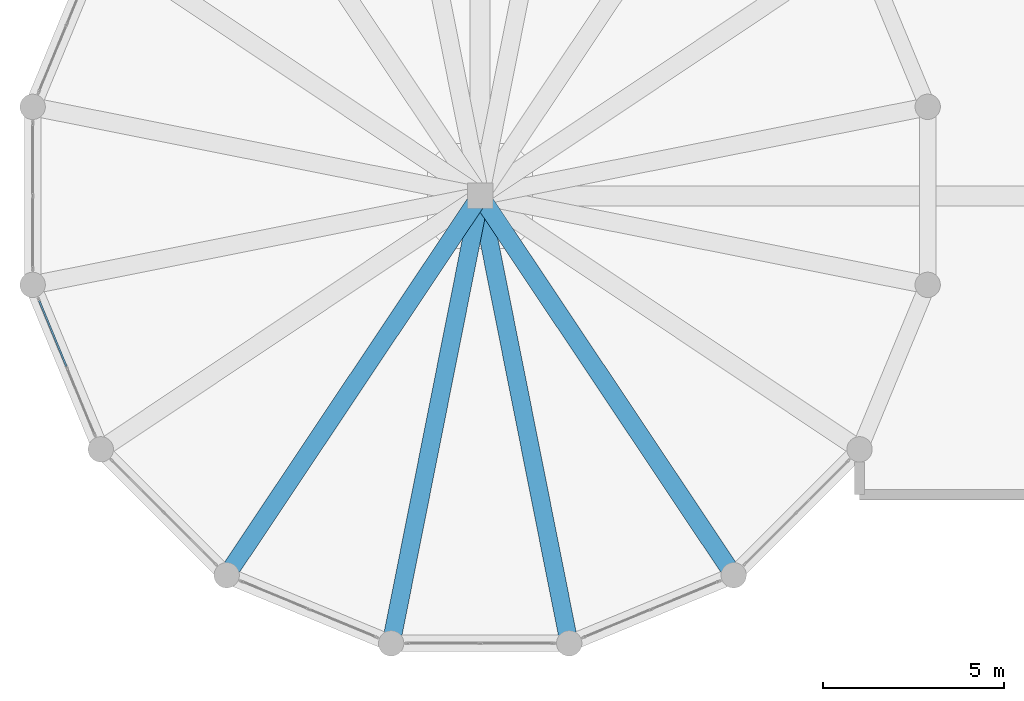
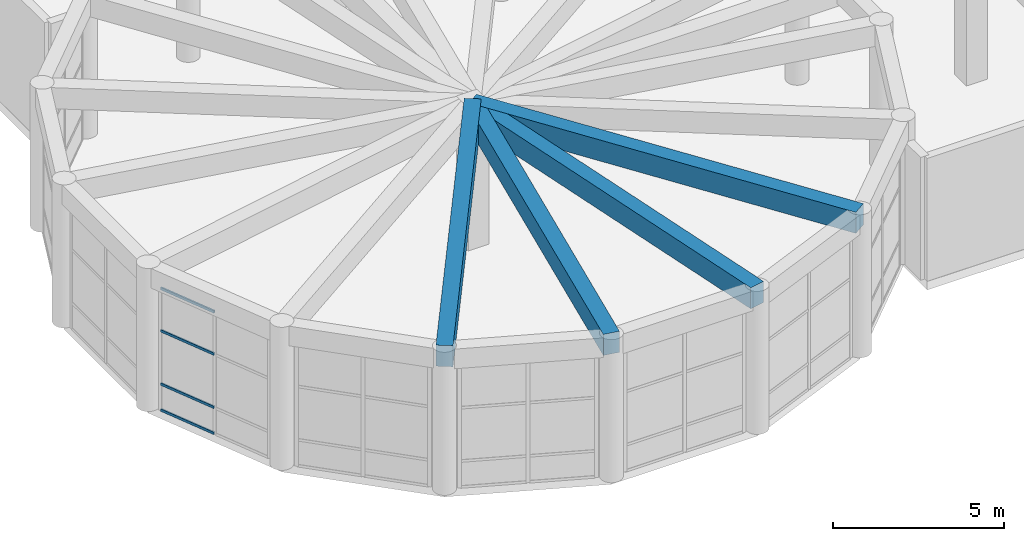
# One storey, part 6 of 96: 4 beams, 4 members, 1 element without a shape of its own.
"""IFC4 building model written with IfcOpenShell, lengths in metres."""

from ifc_helpers import new_model, si_unit, direction, frame, origin, origin_2d, place, context, subcontext, project, spatial, rectangle, hollow_rectangle, extrude, material, material_profile, profile_set, type_object, element, aggregate, save


model = new_model("IFC4")

# Units and contexts
model_context = context("Model", 3, precision=1e-05, world=origin(), true_north=direction((0.0, 1.0)))
body_context = subcontext(model_context, "Body", "Model", "MODEL_VIEW")
ifc_project = project(units=[si_unit("LENGTHUNIT", "METRE"), si_unit("AREAUNIT", "SQUARE_METRE"), si_unit("VOLUMEUNIT", "CUBIC_METRE"), si_unit("PLANEANGLEUNIT", "RADIAN"), si_unit("MASSUNIT", "GRAM", prefix="KILO")], contexts=[model_context])

# Site, building, storey
site_placement = place(None, origin())
site = spatial("IfcSite", under=ifc_project, at=site_placement, CompositionType="ELEMENT")
building_placement = place(site_placement, origin())
building = spatial("IfcBuilding", under=site, at=building_placement, Name="Almacenes y Pasaje Nevantli", CompositionType="ELEMENT")
storey_placement = place(building_placement, frame((0.0, 0.0, 6.0)))
storey = spatial("IfcBuildingStorey", under=building, at=storey_placement, Name="L02", CompositionType="ELEMENT", Elevation=6.0)

# Beams
ifc_material_1 = material(Name="Concrete C35/45", Category="concrete")
ifc_material_profile_1 = material_profile(ifc_material_1, rectangle(XDim=0.5, YDim=0.75, at=origin_2d()), Name="RC-BM-500x750")
ifc_profile_set_1 = profile_set([ifc_material_profile_1], Name="Concrete C35/45")
beam_type = type_object("IfcBeamType", Name="BM-RC-500x750", PredefinedType="BEAM", material=ifc_profile_set_1)
beam_1_placement = place(storey_placement, frame((8.39990234375, 8.39990234375, 4.72509765625), z_axis=(-0.555567372569, -0.831471523588, 0.0), x_axis=(0.831471523588, -0.555567372569, 0.0)))
element("IfcBeam", 1, at=beam_1_placement, inside=storey, type_object=beam_type, Name="L02 Rotunda Radial Girder #11", PredefinedType="BEAM", context=body_context, shape_type="SweptSolid", body=[
    extrude(rectangle(XDim=0.5, YDim=0.75, at=origin_2d()), origin(), (0.0, 0.0, 1.0), 12.599853515625),
])
for number, where, z_axis, x_axis, name in (
    (2, (8.39990234375, 8.39990234375, 4.72509765625), (-0.195080141274, -0.980787305424, 0.0), (0.980787305424, -0.195080141274, 0.0), "L02 Rotunda Radial Girder #12"),
    (3, (8.39990234375, 8.39990234375, 4.72509765625), (0.195098780036, -0.980783597961, 0.0), (0.980783597961, 0.195098780036, 0.0), "L02 Rotunda Radial Girder #13"),
):
    element("IfcBeam", number, at=place(storey_placement, frame(where, z_axis=z_axis, x_axis=x_axis)), inside=storey, type_object=beam_type, Name=name, PredefinedType="BEAM", context=body_context, shape_type="SweptSolid", body=[
        extrude(rectangle(XDim=0.5, YDim=0.75, at=origin_2d()), origin(), (0.0, 0.0, 1.0), 12.60009765625),
    ])
beam_2_placement = place(storey_placement, frame((8.39990234375, 8.39990234375, 4.72509765625), z_axis=(0.555580768302, -0.831462572755, 0.0), x_axis=(0.831462572755, 0.555580768302, 0.0)))
element("IfcBeam", 4, at=beam_2_placement, inside=storey, type_object=beam_type, Name="L02 Rotunda Radial Girder #14", PredefinedType="BEAM", context=body_context, shape_type="SweptSolid", body=[
    extrude(rectangle(XDim=0.5, YDim=0.75, at=origin_2d()), origin(), (0.0, 0.0, 1.0), 12.599853515625),
])

# Curtain wall, members
ifc_material_2 = material(Name="Thermally Broken Aluminium and Low-E Glass", Category="aluminium")
curtain_wall_type = type_object("IfcCurtainWallType", Name="CW-UNIT-ROTUNDA", PredefinedType="USERDEFINED", material=ifc_material_2)
curtain_wall_placement = place(storey_placement, origin())
curtain_wall = element("IfcCurtainWall", 5, at=curtain_wall_placement, inside=storey, type_object=curtain_wall_type, Name="L02 Corner Rotunda Faceted Curtain Wall Facet #9", ObjectType="UNITIZED CURTAIN WALL", PredefinedType="USERDEFINED")
ifc_material_3 = material(Name="Thermally Broken Anodized Aluminium", Category="aluminium")
ifc_material_profile_2 = material_profile(ifc_material_3, hollow_rectangle(XDim=0.050048828125, YDim=0.090087890625, WallThickness=0.0029296875, at=origin_2d()), Name="ALU-TRN-50x90")
ifc_profile_set_2 = profile_set([ifc_material_profile_2], Name="Thermally Broken Anodized Aluminium")
member_type = type_object("IfcMemberType", Name="CW-TRN-100", PredefinedType="USERDEFINED", material=ifc_profile_set_2)
member_1_placement = place(storey_placement, frame((-3.778076171875, 5.507568359375, 0.02490234375), z_axis=(0.382662992588, -0.923887998679, 0.0), x_axis=(0.923887998679, 0.382662992588, 0.0)))
member_1 = element("IfcMember", 6, at=member_1_placement, type_object=member_type, Name="CW-L02-028 transom 1.1", ObjectType="TRANSOM", PredefinedType="USERDEFINED", context=body_context, shape_type="SweptSolid", body=[
    extrude(hollow_rectangle(XDim=0.050048828125, YDim=0.090087890625, WallThickness=0.0029296875, at=origin_2d()), origin(), (0.0, 0.0, 1.0), 1.963134765625),
])
member_2_placement = place(storey_placement, frame((-3.778076171875, 5.507568359375, 0.949951171875), z_axis=(0.382662992588, -0.923887998679, 0.0), x_axis=(0.923887998679, 0.382662992588, 0.0)))
member_2 = element("IfcMember", 7, at=member_2_placement, type_object=member_type, Name="CW-L02-028 transom 1.2", ObjectType="TRANSOM", PredefinedType="USERDEFINED", context=body_context, shape_type="SweptSolid", body=[
    extrude(hollow_rectangle(XDim=0.050048828125, YDim=0.090087890625, WallThickness=0.0029296875, at=origin_2d()), origin(), (0.0, 0.0, 1.0), 1.963134765625),
])
member_3_placement = place(storey_placement, frame((-3.778076171875, 5.507568359375, 2.85009765625), z_axis=(0.382662992588, -0.923887998679, 0.0), x_axis=(0.923887998679, 0.382662992588, 0.0)))
member_3 = element("IfcMember", 8, at=member_3_placement, type_object=member_type, Name="CW-L02-028 transom 1.3", ObjectType="TRANSOM", PredefinedType="USERDEFINED", context=body_context, shape_type="SweptSolid", body=[
    extrude(hollow_rectangle(XDim=0.050048828125, YDim=0.090087890625, WallThickness=0.0029296875, at=origin_2d()), origin(), (0.0, 0.0, 1.0), 1.963134765625),
])
member_4_placement = place(storey_placement, frame((-3.778076171875, 5.507568359375, 4.35498046875), z_axis=(0.382662992588, -0.923887998679, 0.0), x_axis=(0.923887998679, 0.382662992588, 0.0)))
member_4 = element("IfcMember", 9, at=member_4_placement, type_object=member_type, Name="CW-L02-028 transom 1.4", ObjectType="TRANSOM", PredefinedType="USERDEFINED", context=body_context, shape_type="SweptSolid", body=[
    extrude(hollow_rectangle(XDim=0.050048828125, YDim=0.090087890625, WallThickness=0.0029296875, at=origin_2d()), origin(), (0.0, 0.0, 1.0), 1.963134765625),
])
aggregate(curtain_wall, [member_1, member_2, member_3, member_4])

save(model, "model.ifc")
